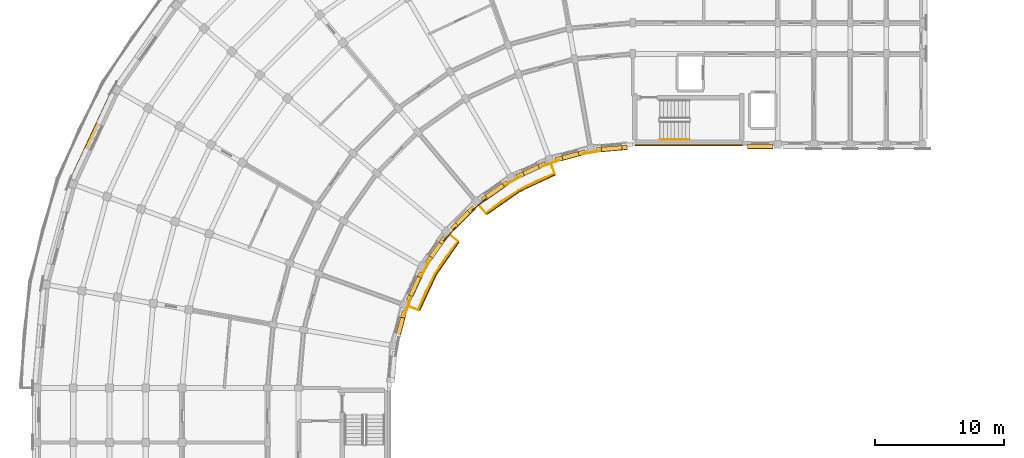
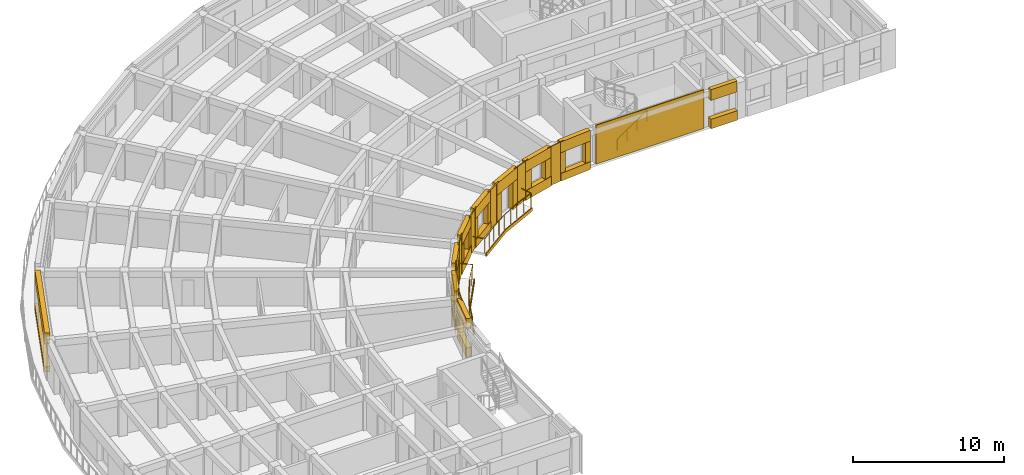
# One storey, part 32 of 41: 43 coverings, 3 railings.
"""IFC4 building model written with IfcOpenShell, lengths in metres."""

from ifc_helpers import new_model, si_unit, direction, frame, origin, origin_2d, place, context, subcontext, project, spatial, polyline, circle, outline, extrude, material, layer, layer_set, type_object, element, save


model = new_model("IFC4")

# Units and contexts
model_context = context("Model", 3, precision=1e-05, world=origin(), true_north=direction((0.0, 1.0)))
body_context = subcontext(model_context, "Body", "Model", "MODEL_VIEW")
ifc_project = project(units=[si_unit("LENGTHUNIT", "METRE"), si_unit("AREAUNIT", "SQUARE_METRE"), si_unit("VOLUMEUNIT", "CUBIC_METRE"), si_unit("PLANEANGLEUNIT", "RADIAN"), si_unit("MASSUNIT", "GRAM", prefix="KILO")], contexts=[model_context])

# Site, building, storey
site_placement = place(None, origin())
site = spatial("IfcSite", under=ifc_project, at=site_placement, CompositionType="ELEMENT")
building_placement = place(site_placement, origin())
building = spatial("IfcBuilding", under=site, at=building_placement, Name="Kiranvali Square Residences", CompositionType="ELEMENT")
storey_placement = place(building_placement, frame((0.0, 0.0, 33.89990234375)))
storey = spatial("IfcBuildingStorey", under=building, at=storey_placement, Name="L10", CompositionType="ELEMENT", Elevation=33.89990234375)

# Coverings
ifc_material_1 = material(Name="Carved Porbandar limestone classical entablature and cornice", Category="masonry")
ifc_layer_1 = layer(ifc_material_1, 0.06201171875)
ifc_layer_set_1 = layer_set([ifc_layer_1], Name="Carved Porbandar limestone classical entablature and cornice")
covering_type_1 = type_object("IfcCoveringType", Name="COV-CLAD-GBAL", PredefinedType="CLADDING", material=ifc_layer_set_1)
covering_1_placement = place(storey_placement, frame((0.0, 0.0, -0.219970703125)))
element("IfcCovering", 1, at=covering_1_placement, inside=storey, type_object=covering_type_1, Name="Block A L10 garden balcony limestone fascia 1", PredefinedType="CLADDING", context=body_context, shape_type="SweptSolid", body=[
    extrude(outline(polyline([(42.1982421875, 104.289794921875), (39.426025390625, 102.9970703125), (36.92041015625, 101.242431640625), (36.964111328125, 101.1904296875), (39.4599609375, 102.938232421875), (42.221435546875, 104.225830078125), (42.1982421875, 104.289794921875)])), origin(), (0.0, 0.0, 1.0), 0.27001953125),
])
covering_2_placement = place(storey_placement, frame((0.0, 0.0, -0.219970703125)))
element("IfcCovering", 2, at=covering_2_placement, inside=storey, type_object=covering_type_1, Name="Block A L10 garden balcony limestone fascia 2", PredefinedType="CLADDING", context=body_context, shape_type="SweptSolid", body=[
    extrude(outline(polyline([(34.757568359375, 99.07958984375), (33.0029296875, 96.573974609375), (31.710205078125, 93.8017578125), (31.774169921875, 93.778564453125), (33.061767578125, 96.5400390625), (34.8095703125, 99.035888671875), (34.757568359375, 99.07958984375)])), origin(), (0.0, 0.0, 1.0), 0.27001953125),
])
ifc_material_2 = material(Name="Honed Porbandar limestone ashlar facade cladding", Category="masonry")
ifc_layer_2 = layer(ifc_material_2, 0.3798828125)
ifc_layer_set_2 = layer_set([ifc_layer_2], Name="Honed Porbandar limestone ashlar facade cladding")
covering_type_2 = type_object("IfcCoveringType", Name="COV-CLAD-JAMB", PredefinedType="CLADDING", material=ifc_layer_set_2)
covering_3_placement = place(storey_placement, frame((0.0, 0.0, 0.6220703125)))
element("IfcCovering", 3, at=covering_3_placement, inside=storey, type_object=covering_type_2, Name="L10 deep limestone window jamb reveal A-L10-GDN-00.L", PredefinedType="CLADDING", context=body_context, shape_type="SweptSolid", body=[
    extrude(outline(polyline([(47.76171875, 106.56103515625), (47.36474609375, 106.5263671875), (47.394287109375, 106.188232421875), (47.791259765625, 106.222900390625), (47.76171875, 106.56103515625)])), origin(), (0.0, 0.0, 1.0), 1.650146484375),
])
covering_4_placement = place(storey_placement, frame((0.0, 0.0, 0.6220703125)))
element("IfcCovering", 4, at=covering_4_placement, inside=storey, type_object=covering_type_2, Name="L10 deep limestone window jamb reveal A-L10-GDN-00.R", PredefinedType="CLADDING", context=body_context, shape_type="SweptSolid", body=[
    extrude(outline(polyline([(45.770751953125, 106.386962890625), (45.373779296875, 106.352294921875), (45.4033203125, 106.013916015625), (45.80029296875, 106.048828125), (45.770751953125, 106.386962890625)])), origin(), (0.0, 0.0, 1.0), 1.650146484375),
])
covering_5_placement = place(storey_placement, frame((0.0, 0.0, 0.772216796875)))
element("IfcCovering", 5, at=covering_5_placement, inside=storey, type_object=covering_type_2, Name="L10 deep limestone window jamb reveal A-L10-GDN-01.L", PredefinedType="CLADDING", context=body_context, shape_type="SweptSolid", body=[
    extrude(outline(polyline([(44.510498046875, 106.199951171875), (43.980712890625, 106.05810546875), (44.068603515625, 105.730224609375), (44.598388671875, 105.8720703125), (44.510498046875, 106.199951171875)])), origin(), (0.0, 0.0, 1.0), 1.5),
])
covering_6_placement = place(storey_placement, frame((0.0, 0.0, 0.772216796875)))
element("IfcCovering", 6, at=covering_6_placement, inside=storey, type_object=covering_type_2, Name="L10 deep limestone window jamb reveal A-L10-GDN-01.R", PredefinedType="CLADDING", context=body_context, shape_type="SweptSolid", body=[
    extrude(outline(polyline([(42.72509765625, 105.7216796875), (42.195068359375, 105.57958984375), (42.282958984375, 105.251708984375), (42.812744140625, 105.3935546875), (42.72509765625, 105.7216796875)])), origin(), (0.0, 0.0, 1.0), 1.5),
])
covering_7_placement = place(storey_placement, origin())
element("IfcCovering", 7, at=covering_7_placement, inside=storey, type_object=covering_type_2, Name="L10 deep limestone window jamb reveal A-L10-GDN-02.L", PredefinedType="CLADDING", context=body_context, shape_type="SweptSolid", body=[
    extrude(outline(polyline([(41.37158203125, 105.27978515625), (40.874267578125, 105.048095703125), (41.017822265625, 104.740234375), (41.514892578125, 104.97216796875), (41.37158203125, 105.27978515625)])), origin(), (0.0, 0.0, 1.0), 2.18017578125),
])
covering_8_placement = place(storey_placement, origin())
element("IfcCovering", 8, at=covering_8_placement, inside=storey, type_object=covering_type_2, Name="L10 deep limestone window jamb reveal A-L10-GDN-02.R", PredefinedType="CLADDING", context=body_context, shape_type="SweptSolid", body=[
    extrude(outline(polyline([(39.696044921875, 104.49853515625), (39.198974609375, 104.266845703125), (39.342529296875, 103.958984375), (39.839599609375, 104.19091796875), (39.696044921875, 104.49853515625)])), origin(), (0.0, 0.0, 1.0), 2.18017578125),
])
covering_9_placement = place(storey_placement, frame((0.0, 0.0, 0.6220703125)))
element("IfcCovering", 9, at=covering_9_placement, inside=storey, type_object=covering_type_2, Name="L10 deep limestone window jamb reveal A-L10-GDN-03.L", PredefinedType="CLADDING", context=body_context, shape_type="SweptSolid", body=[
    extrude(outline(polyline([(38.43994140625, 103.828369140625), (38.11328125, 103.599853515625), (38.30810546875, 103.32177734375), (38.634521484375, 103.55029296875), (38.43994140625, 103.828369140625)])), origin(), (0.0, 0.0, 1.0), 1.650146484375),
])
covering_10_placement = place(storey_placement, frame((0.0, 0.0, 0.6220703125)))
element("IfcCovering", 10, at=covering_10_placement, inside=storey, type_object=covering_type_2, Name="L10 deep limestone window jamb reveal A-L10-GDN-03.R", PredefinedType="CLADDING", context=body_context, shape_type="SweptSolid", body=[
    extrude(outline(polyline([(36.802734375, 102.68212890625), (36.476318359375, 102.45361328125), (36.671142578125, 102.175537109375), (36.99755859375, 102.404052734375), (36.802734375, 102.68212890625)])), origin(), (0.0, 0.0, 1.0), 1.650146484375),
])
covering_11_placement = place(storey_placement, frame((0.0, 0.0, 0.772216796875)))
element("IfcCovering", 11, at=covering_11_placement, inside=storey, type_object=covering_type_2, Name="L10 deep limestone window jamb reveal A-L10-GDN-04.L", PredefinedType="CLADDING", context=body_context, shape_type="SweptSolid", body=[
    extrude(outline(polyline([(35.804931640625, 101.89013671875), (35.4169921875, 101.502197265625), (35.656982421875, 101.26220703125), (36.044921875, 101.650146484375), (35.804931640625, 101.89013671875)])), origin(), (0.0, 0.0, 1.0), 1.5),
])
covering_12_placement = place(storey_placement, frame((0.0, 0.0, 0.772216796875)))
element("IfcCovering", 12, at=covering_12_placement, inside=storey, type_object=covering_type_2, Name="L10 deep limestone window jamb reveal A-L10-GDN-04.R", PredefinedType="CLADDING", context=body_context, shape_type="SweptSolid", body=[
    extrude(outline(polyline([(34.497802734375, 100.5830078125), (34.10986328125, 100.195068359375), (34.349853515625, 99.955078125), (34.73779296875, 100.343017578125), (34.497802734375, 100.5830078125)])), origin(), (0.0, 0.0, 1.0), 1.5),
])
covering_13_placement = place(storey_placement, origin())
element("IfcCovering", 13, at=covering_13_placement, inside=storey, type_object=covering_type_2, Name="L10 deep limestone window jamb reveal A-L10-GDN-05.L", PredefinedType="CLADDING", context=body_context, shape_type="SweptSolid", body=[
    extrude(outline(polyline([(33.54638671875, 99.523681640625), (33.231689453125, 99.074462890625), (33.509765625, 98.879638671875), (33.824462890625, 99.328857421875), (33.54638671875, 99.523681640625)])), origin(), (0.0, 0.0, 1.0), 2.18017578125),
])
covering_14_placement = place(storey_placement, origin())
element("IfcCovering", 14, at=covering_14_placement, inside=storey, type_object=covering_type_2, Name="L10 deep limestone window jamb reveal A-L10-GDN-05.R", PredefinedType="CLADDING", context=body_context, shape_type="SweptSolid", body=[
    extrude(outline(polyline([(32.486083984375, 98.009521484375), (32.171630859375, 97.56005859375), (32.44970703125, 97.365478515625), (32.76416015625, 97.814697265625), (32.486083984375, 98.009521484375)])), origin(), (0.0, 0.0, 1.0), 2.18017578125),
])
covering_15_placement = place(storey_placement, frame((0.0, 0.0, 0.6220703125)))
element("IfcCovering", 15, at=covering_15_placement, inside=storey, type_object=covering_type_2, Name="L10 deep limestone window jamb reveal A-L10-GDN-06.L", PredefinedType="CLADDING", context=body_context, shape_type="SweptSolid", body=[
    extrude(outline(polyline([(31.733154296875, 96.801025390625), (31.564697265625, 96.43994140625), (31.87255859375, 96.29638671875), (32.041015625, 96.657470703125), (31.733154296875, 96.801025390625)])), origin(), (0.0, 0.0, 1.0), 1.650146484375),
])
covering_16_placement = place(storey_placement, frame((0.0, 0.0, 0.6220703125)))
element("IfcCovering", 16, at=covering_16_placement, inside=storey, type_object=covering_type_2, Name="L10 deep limestone window jamb reveal A-L10-GDN-06.R", PredefinedType="CLADDING", context=body_context, shape_type="SweptSolid", body=[
    extrude(outline(polyline([(30.888671875, 94.98974609375), (30.72021484375, 94.62841796875), (31.02783203125, 94.485107421875), (31.1962890625, 94.84619140625), (30.888671875, 94.98974609375)])), origin(), (0.0, 0.0, 1.0), 1.650146484375),
])
covering_17_placement = place(storey_placement, frame((0.0, 0.0, 0.772216796875)))
element("IfcCovering", 17, at=covering_17_placement, inside=storey, type_object=covering_type_2, Name="L10 deep limestone window jamb reveal A-L10-GDN-07.L", PredefinedType="CLADDING", context=body_context, shape_type="SweptSolid", body=[
    extrude(outline(polyline([(30.42041015625, 93.804931640625), (30.2783203125, 93.27490234375), (30.6064453125, 93.187255859375), (30.748291015625, 93.717041015625), (30.42041015625, 93.804931640625)])), origin(), (0.0, 0.0, 1.0), 1.5),
])
ifc_layer_3 = layer(ifc_material_2, 0.06494140625)
ifc_layer_set_3 = layer_set([ifc_layer_3], Name="Honed Porbandar limestone ashlar facade cladding")
covering_type_3 = type_object("IfcCoveringType", Name="COV-CLAD-PIER", PredefinedType="CLADDING", material=ifc_layer_set_3)
covering_18_placement = place(storey_placement, frame((0.0, 0.0, 0.005126953125)))
element("IfcCovering", 18, at=covering_18_placement, inside=storey, type_object=covering_type_3, Name="Block A L10 garden stair limestone ashlar cladding", PredefinedType="CLADDING", context=body_context, shape_type="SweptSolid", body=[
    extrude(outline(polyline([(48.39990234375, 106.52001953125), (56.64990234375, 106.52001953125), (56.64990234375, 106.597900390625), (48.39990234375, 106.597900390625), (48.39990234375, 106.52001953125)])), origin(), (0.0, 0.0, 1.0), 3.139892578125),
])
ifc_layer_4 = layer(ifc_material_2, 0.050048828125)
ifc_layer_set_4 = layer_set([ifc_layer_4], Name="Honed Porbandar limestone ashlar facade cladding")
covering_type_4 = type_object("IfcCoveringType", Name="COV-CLAD-PIER-IN", PredefinedType="CLADDING", material=ifc_layer_set_4)
covering_19_placement = place(storey_placement, frame((0.0, 0.0, 0.005126953125)))
element("IfcCovering", 19, at=covering_19_placement, inside=storey, type_object=covering_type_4, Name="L10 Classical garden courtyard pilaster CLAD-PRIN-A-L10-A01", PredefinedType="CLADDING", context=body_context, shape_type="SweptSolid", body=[
    extrude(outline(polyline([(44.31005859375, 105.830322265625), (45.688720703125, 106.073486328125), (45.677001953125, 106.139892578125), (44.29833984375, 105.89697265625), (44.31005859375, 105.830322265625)])), origin(), (0.0, 0.0, 1.0), 3.139892578125),
])
covering_20_placement = place(storey_placement, frame((0.0, 0.0, 0.005126953125)))
element("IfcCovering", 20, at=covering_20_placement, inside=storey, type_object=covering_type_4, Name="L10 Classical garden courtyard pilaster CLAD-PRIN-A-L10-A02", PredefinedType="CLADDING", context=body_context, shape_type="SweptSolid", body=[
    extrude(outline(polyline([(41.238037109375, 104.881103515625), (42.5537109375, 105.35986328125), (42.530517578125, 105.42333984375), (41.215087890625, 104.9443359375), (41.238037109375, 104.881103515625)])), origin(), (0.0, 0.0, 1.0), 3.139892578125),
])
covering_21_placement = place(storey_placement, frame((0.0, 0.0, 0.005126953125)))
element("IfcCovering", 21, at=covering_21_placement, inside=storey, type_object=covering_type_4, Name="L10 Classical garden courtyard pilaster CLAD-PRIN-A-L10-A03", PredefinedType="CLADDING", context=body_context, shape_type="SweptSolid", body=[
    extrude(outline(polyline([(38.377685546875, 103.41259765625), (39.59033203125, 104.112548828125), (39.556396484375, 104.171142578125), (38.343994140625, 103.470947265625), (38.377685546875, 103.41259765625)])), origin(), (0.0, 0.0, 1.0), 3.139892578125),
])
covering_22_placement = place(storey_placement, frame((0.0, 0.0, 0.005126953125)))
element("IfcCovering", 22, at=covering_22_placement, inside=storey, type_object=covering_type_4, Name="L10 Classical garden courtyard pilaster CLAD-PRIN-A-L10-A04", PredefinedType="CLADDING", context=body_context, shape_type="SweptSolid", body=[
    extrude(outline(polyline([(35.81591796875, 101.4697265625), (36.888427734375, 102.36962890625), (36.844970703125, 102.42138671875), (35.7724609375, 101.521484375), (35.81591796875, 101.4697265625)])), origin(), (0.0, 0.0, 1.0), 3.139892578125),
])
covering_23_placement = place(storey_placement, frame((0.0, 0.0, 0.005126953125)))
element("IfcCovering", 23, at=covering_23_placement, inside=storey, type_object=covering_type_4, Name="L10 Classical garden courtyard pilaster CLAD-PRIN-A-L10-A05", PredefinedType="CLADDING", context=body_context, shape_type="SweptSolid", body=[
    extrude(outline(polyline([(33.63037109375, 99.111572265625), (34.5302734375, 100.18408203125), (34.478515625, 100.2275390625), (33.57861328125, 99.155029296875), (33.63037109375, 99.111572265625)])), origin(), (0.0, 0.0, 1.0), 3.139892578125),
])
covering_24_placement = place(storey_placement, frame((0.0, 0.0, 0.005126953125)))
element("IfcCovering", 24, at=covering_24_placement, inside=storey, type_object=covering_type_4, Name="L10 Classical garden courtyard pilaster CLAD-PRIN-A-L10-A06", PredefinedType="CLADDING", context=body_context, shape_type="SweptSolid", body=[
    extrude(outline(polyline([(31.887451171875, 96.40966796875), (32.58740234375, 97.622314453125), (32.529052734375, 97.656005859375), (31.828857421875, 96.443603515625), (31.887451171875, 96.40966796875)])), origin(), (0.0, 0.0, 1.0), 3.139892578125),
])
covering_25_placement = place(storey_placement, frame((0.0, 0.0, 0.005126953125)))
element("IfcCovering", 25, at=covering_25_placement, inside=storey, type_object=covering_type_4, Name="L10 Classical garden courtyard pilaster CLAD-PRIN-A-L10-A07", PredefinedType="CLADDING", context=body_context, shape_type="SweptSolid", body=[
    extrude(outline(polyline([(30.64013671875, 93.4462890625), (31.118896484375, 94.761962890625), (31.0556640625, 94.784912109375), (30.57666015625, 93.469482421875), (30.64013671875, 93.4462890625)])), origin(), (0.0, 0.0, 1.0), 3.139892578125),
])
ifc_layer_5 = layer(ifc_material_2, 0.360107421875)
ifc_layer_set_5 = layer_set([ifc_layer_5], Name="Honed Porbandar limestone ashlar facade cladding")
covering_type_5 = type_object("IfcCoveringType", Name="COV-CLAD-WALL", PredefinedType="CLADDING", material=ifc_layer_set_5)
covering_26_placement = place(storey_placement, frame((0.0, 0.0, 2.272216796875)))
element("IfcCovering", 26, at=covering_26_placement, inside=storey, type_object=covering_type_5, Name="L10 light limestone spandrel lintel A-L10-CRV-06", PredefinedType="CLADDING", context=body_context, shape_type="SweptSolid", body=[
    extrude(outline(polyline([(7.888671875, 110.635009765625), (4.7958984375, 104.002197265625), (5.12158203125, 103.850341796875), (8.21435546875, 110.48291015625), (7.888671875, 110.635009765625)])), origin(), (0.0, 0.0, 1.0), 0.872802734375),
])
covering_27_placement = place(storey_placement, frame((0.0, 0.0, 2.272216796875)))
element("IfcCovering", 27, at=covering_27_placement, inside=storey, type_object=covering_type_5, Name="L10 light limestone spandrel lintel A-L10-GDN-00", PredefinedType="CLADDING", context=body_context, shape_type="SweptSolid", body=[
    extrude(outline(polyline([(47.76171875, 106.56103515625), (45.373779296875, 106.352294921875), (45.4033203125, 106.013916015625), (47.791259765625, 106.222900390625), (47.76171875, 106.56103515625)])), origin(), (0.0, 0.0, 1.0), 0.872802734375),
])
covering_28_placement = place(storey_placement, frame((0.0, 0.0, 2.272216796875)))
element("IfcCovering", 28, at=covering_28_placement, inside=storey, type_object=covering_type_5, Name="L10 light limestone spandrel lintel A-L10-GDN-01", PredefinedType="CLADDING", context=body_context, shape_type="SweptSolid", body=[
    extrude(outline(polyline([(44.510498046875, 106.199951171875), (42.195068359375, 105.57958984375), (42.282958984375, 105.251708984375), (44.598388671875, 105.8720703125), (44.510498046875, 106.199951171875)])), origin(), (0.0, 0.0, 1.0), 0.872802734375),
])
covering_29_placement = place(storey_placement, frame((0.0, 0.0, 2.18017578125)))
element("IfcCovering", 29, at=covering_29_placement, inside=storey, type_object=covering_type_5, Name="L10 light limestone spandrel lintel A-L10-GDN-02", PredefinedType="CLADDING", context=body_context, shape_type="SweptSolid", body=[
    extrude(outline(polyline([(41.37158203125, 105.27978515625), (39.198974609375, 104.266845703125), (39.342529296875, 103.958984375), (41.514892578125, 104.97216796875), (41.37158203125, 105.27978515625)])), origin(), (0.0, 0.0, 1.0), 0.96484375),
])
covering_30_placement = place(storey_placement, frame((0.0, 0.0, 2.272216796875)))
element("IfcCovering", 30, at=covering_30_placement, inside=storey, type_object=covering_type_5, Name="L10 light limestone spandrel lintel A-L10-GDN-03", PredefinedType="CLADDING", context=body_context, shape_type="SweptSolid", body=[
    extrude(outline(polyline([(38.43994140625, 103.828369140625), (36.476318359375, 102.45361328125), (36.671142578125, 102.175537109375), (38.634521484375, 103.55029296875), (38.43994140625, 103.828369140625)])), origin(), (0.0, 0.0, 1.0), 0.872802734375),
])
covering_31_placement = place(storey_placement, frame((0.0, 0.0, 2.272216796875)))
element("IfcCovering", 31, at=covering_31_placement, inside=storey, type_object=covering_type_5, Name="L10 light limestone spandrel lintel A-L10-GDN-04", PredefinedType="CLADDING", context=body_context, shape_type="SweptSolid", body=[
    extrude(outline(polyline([(35.804931640625, 101.89013671875), (34.10986328125, 100.195068359375), (34.349853515625, 99.955078125), (36.044921875, 101.650146484375), (35.804931640625, 101.89013671875)])), origin(), (0.0, 0.0, 1.0), 0.872802734375),
])
covering_32_placement = place(storey_placement, frame((0.0, 0.0, 2.18017578125)))
element("IfcCovering", 32, at=covering_32_placement, inside=storey, type_object=covering_type_5, Name="L10 light limestone spandrel lintel A-L10-GDN-05", PredefinedType="CLADDING", context=body_context, shape_type="SweptSolid", body=[
    extrude(outline(polyline([(33.54638671875, 99.523681640625), (32.171630859375, 97.56005859375), (32.44970703125, 97.365478515625), (33.824462890625, 99.328857421875), (33.54638671875, 99.523681640625)])), origin(), (0.0, 0.0, 1.0), 0.96484375),
])
covering_33_placement = place(storey_placement, frame((0.0, 0.0, 2.272216796875)))
element("IfcCovering", 33, at=covering_33_placement, inside=storey, type_object=covering_type_5, Name="L10 light limestone spandrel lintel A-L10-GDN-06", PredefinedType="CLADDING", context=body_context, shape_type="SweptSolid", body=[
    extrude(outline(polyline([(31.733154296875, 96.801025390625), (30.72021484375, 94.62841796875), (31.02783203125, 94.485107421875), (32.041015625, 96.657470703125), (31.733154296875, 96.801025390625)])), origin(), (0.0, 0.0, 1.0), 0.872802734375),
])
covering_34_placement = place(storey_placement, frame((0.0, 0.0, 2.272216796875)))
element("IfcCovering", 34, at=covering_34_placement, inside=storey, type_object=covering_type_5, Name="L10 light limestone spandrel lintel A-L10-GDN-07", PredefinedType="CLADDING", context=body_context, shape_type="SweptSolid", body=[
    extrude(outline(polyline([(30.42041015625, 93.804931640625), (29.800048828125, 91.489501953125), (30.1279296875, 91.401611328125), (30.748291015625, 93.717041015625), (30.42041015625, 93.804931640625)])), origin(), (0.0, 0.0, 1.0), 0.872802734375),
])
covering_35_placement = place(storey_placement, frame((0.0, 0.0, 2.272216796875)))
element("IfcCovering", 35, at=covering_35_placement, inside=storey, type_object=covering_type_5, Name="L10 light limestone spandrel lintel A-L10-A1IN-0", PredefinedType="CLADDING", context=body_context, shape_type="SweptSolid", body=[
    extrude(outline(polyline([(57.050048828125, 106.280029296875), (59.050048828125, 106.280029296875), (59.050048828125, 106.599609375), (57.050048828125, 106.599609375), (57.050048828125, 106.280029296875)])), origin(), (0.0, 0.0, 1.0), 0.872802734375),
])
ifc_layer_6 = layer(ifc_material_2, 0.320068359375)
ifc_layer_set_6 = layer_set([ifc_layer_6], Name="Honed Porbandar limestone ashlar facade cladding")
covering_type_6 = type_object("IfcCoveringType", Name="COV-CLAD-WALL-UP", PredefinedType="CLADDING", material=ifc_layer_set_6)
covering_36_placement = place(storey_placement, frame((0.0, 0.0, 0.005126953125)))
element("IfcCovering", 36, at=covering_36_placement, inside=storey, type_object=covering_type_6, Name="L10 limestone window sill apron A-L10-CRV-06", PredefinedType="CLADDING", context=body_context, shape_type="SweptSolid", body=[
    extrude(outline(polyline([(7.861328125, 110.647705078125), (4.7685546875, 104.014892578125), (5.12158203125, 103.850341796875), (8.21435546875, 110.48291015625), (7.861328125, 110.647705078125)])), origin(), (0.0, 0.0, 1.0), 0.4169921875),
])
covering_37_placement = place(storey_placement, frame((0.0, 0.0, 0.005126953125)))
element("IfcCovering", 37, at=covering_37_placement, inside=storey, type_object=covering_type_6, Name="L10 limestone window sill apron A-L10-GDN-00", PredefinedType="CLADDING", context=body_context, shape_type="SweptSolid", body=[
    extrude(outline(polyline([(47.76171875, 106.56103515625), (45.373779296875, 106.352294921875), (45.406005859375, 105.984130859375), (47.7939453125, 106.193115234375), (47.76171875, 106.56103515625)])), origin(), (0.0, 0.0, 1.0), 0.616943359375),
])
covering_38_placement = place(storey_placement, frame((0.0, 0.0, 0.005126953125)))
element("IfcCovering", 38, at=covering_38_placement, inside=storey, type_object=covering_type_6, Name="L10 limestone window sill apron A-L10-GDN-01", PredefinedType="CLADDING", context=body_context, shape_type="SweptSolid", body=[
    extrude(outline(polyline([(44.510498046875, 106.199951171875), (42.195068359375, 105.57958984375), (42.290771484375, 105.22265625), (44.606201171875, 105.843017578125), (44.510498046875, 106.199951171875)])), origin(), (0.0, 0.0, 1.0), 0.76708984375),
])
covering_39_placement = place(storey_placement, frame((0.0, 0.0, 0.005126953125)))
element("IfcCovering", 39, at=covering_39_placement, inside=storey, type_object=covering_type_6, Name="L10 limestone window sill apron A-L10-GDN-03", PredefinedType="CLADDING", context=body_context, shape_type="SweptSolid", body=[
    extrude(outline(polyline([(38.43994140625, 103.828369140625), (36.476318359375, 102.45361328125), (36.688232421875, 102.15087890625), (38.65185546875, 103.52587890625), (38.43994140625, 103.828369140625)])), origin(), (0.0, 0.0, 1.0), 0.616943359375),
])
covering_40_placement = place(storey_placement, frame((0.0, 0.0, 0.005126953125)))
element("IfcCovering", 40, at=covering_40_placement, inside=storey, type_object=covering_type_6, Name="L10 limestone window sill apron A-L10-GDN-04", PredefinedType="CLADDING", context=body_context, shape_type="SweptSolid", body=[
    extrude(outline(polyline([(35.804931640625, 101.89013671875), (34.10986328125, 100.195068359375), (34.37109375, 99.933837890625), (36.066162109375, 101.62890625), (35.804931640625, 101.89013671875)])), origin(), (0.0, 0.0, 1.0), 0.76708984375),
])
covering_41_placement = place(storey_placement, frame((0.0, 0.0, 0.005126953125)))
element("IfcCovering", 41, at=covering_41_placement, inside=storey, type_object=covering_type_6, Name="L10 limestone window sill apron A-L10-GDN-06", PredefinedType="CLADDING", context=body_context, shape_type="SweptSolid", body=[
    extrude(outline(polyline([(31.733154296875, 96.801025390625), (30.72021484375, 94.62841796875), (31.05517578125, 94.472412109375), (32.068115234375, 96.644775390625), (31.733154296875, 96.801025390625)])), origin(), (0.0, 0.0, 1.0), 0.616943359375),
])
covering_42_placement = place(storey_placement, frame((0.0, 0.0, 0.005126953125)))
element("IfcCovering", 42, at=covering_42_placement, inside=storey, type_object=covering_type_6, Name="L10 limestone window sill apron A-L10-GDN-07", PredefinedType="CLADDING", context=body_context, shape_type="SweptSolid", body=[
    extrude(outline(polyline([(30.42041015625, 93.804931640625), (29.800048828125, 91.489501953125), (30.156982421875, 91.393798828125), (30.77734375, 93.709228515625), (30.42041015625, 93.804931640625)])), origin(), (0.0, 0.0, 1.0), 0.76708984375),
])
covering_43_placement = place(storey_placement, frame((0.0, 0.0, 0.005126953125)))
element("IfcCovering", 43, at=covering_43_placement, inside=storey, type_object=covering_type_6, Name="L10 limestone window sill apron A-L10-A1IN-0", PredefinedType="CLADDING", context=body_context, shape_type="SweptSolid", body=[
    extrude(outline(polyline([(57.050048828125, 106.25), (59.050048828125, 106.25), (59.050048828125, 106.599609375), (57.050048828125, 106.599609375), (57.050048828125, 106.25)])), origin(), (0.0, 0.0, 1.0), 0.76708984375),
])

# Railings
ifc_material_3 = material(Name="Powder-coated architectural bronze balustrade", Category="steel")
railing_type_1 = type_object("IfcRailingType", Name="RL-BAL-GOLD-1200", PredefinedType="BALUSTRADE", material=ifc_material_3)
railing_1_placement = place(storey_placement, frame((41.78369140625, 105.4287109375, 0.0)))
element("IfcRailing", 44, at=railing_1_placement, inside=storey, type_object=railing_type_1, Name="Block A L10 garden balcony gold balustrade 1", PredefinedType="BALUSTRADE", context=body_context, shape_type="SweptSolid", body=[
    extrude(circle(Radius=0.02392578125, at=origin_2d()), frame((0.0, 0.0, 1.17578125), z_axis=(0.341964618562, -0.939712828289, 0.0), x_axis=(0.939712828289, 0.341964618562, 0.0)), (0.0, 0.0, 1.0), 1.150146484375),
    extrude(circle(Radius=0.02392578125, at=origin_2d()), frame((0.393310546875, -1.080810546875, 1.17578125), z_axis=(-0.923892883829, -0.382651197843, 0.0), x_axis=(0.382651197843, -0.923892883829, 0.0)), (0.0, 0.0, 1.0), 1.536376953125),
    extrude(circle(Radius=0.02392578125, at=origin_2d()), frame((-1.026123046875, -1.668701171875, 1.17578125), z_axis=(-0.887029366154, -0.461713009976, 0.0), x_axis=(0.461713009976, -0.887029366154, 0.0)), (0.0, 0.0, 1.0), 1.5361328125),
    extrude(circle(Radius=0.02392578125, at=origin_2d()), frame((-2.388671875, -2.3779296875, 1.17578125), z_axis=(-0.843386539688, -0.537307309343, 0.0), x_axis=(0.537307309343, -0.843386539688, 0.0)), (0.0, 0.0, 1.0), 1.5361328125),
    extrude(circle(Radius=0.02392578125, at=origin_2d()), frame((-3.684326171875, -3.203369140625, 1.17578125), z_axis=(-0.793314680996, -0.608811807471, 0.0), x_axis=(0.608811807471, -0.793314680996, 0.0)), (0.0, 0.0, 1.0), 1.536376953125),
    extrude(circle(Radius=0.02392578125, at=origin_2d()), frame((-4.903076171875, -4.138671875, 1.17578125), z_axis=(-0.642853454051, 0.765989188314, 0.0), x_axis=(-0.765989188314, -0.642853454051, 0.0)), (0.0, 0.0, 1.0), 1.14990234375),
    extrude(circle(Radius=0.02099609375, at=origin_2d()), origin(), (0.0, 0.0, 1.0), 1.15185546875),
    extrude(circle(Radius=0.02099609375, at=origin_2d()), frame((0.393310546875, -1.080810546875, 0.0)), (0.0, 0.0, 1.0), 1.15185546875),
    extrude(circle(Radius=0.02099609375, at=origin_2d()), frame((-0.31640625, -1.374755859375, 0.0)), (0.0, 0.0, 1.0), 1.15185546875),
    extrude(circle(Radius=0.02099609375, at=origin_2d()), frame((-1.026123046875, -1.668701171875, 0.0)), (0.0, 0.0, 1.0), 1.15185546875),
    extrude(circle(Radius=0.02099609375, at=origin_2d()), frame((-1.70751953125, -2.0234375, 0.0)), (0.0, 0.0, 1.0), 1.15185546875),
    extrude(circle(Radius=0.02099609375, at=origin_2d()), frame((-2.388671875, -2.3779296875, 0.0)), (0.0, 0.0, 1.0), 1.15185546875),
    extrude(circle(Radius=0.02099609375, at=origin_2d()), frame((-3.03662109375, -2.79052734375, 0.0)), (0.0, 0.0, 1.0), 1.15185546875),
    extrude(circle(Radius=0.02099609375, at=origin_2d()), frame((-3.684326171875, -3.203369140625, 0.0)), (0.0, 0.0, 1.0), 1.15185546875),
    extrude(circle(Radius=0.02099609375, at=origin_2d()), frame((-4.293701171875, -3.6708984375, 0.0)), (0.0, 0.0, 1.0), 1.15185546875),
    extrude(circle(Radius=0.02099609375, at=origin_2d()), frame((-4.903076171875, -4.138671875, 0.0)), (0.0, 0.0, 1.0), 1.15185546875),
    extrude(circle(Radius=0.02099609375, at=origin_2d()), frame((-5.642333984375, -3.2578125, 0.0)), (0.0, 0.0, 1.0), 1.15185546875),
])
railing_2_placement = place(storey_placement, frame((33.8291015625, 99.858642578125, 0.0)))
element("IfcRailing", 45, at=railing_2_placement, inside=storey, type_object=railing_type_1, Name="Block A L10 garden balcony gold balustrade 2", PredefinedType="BALUSTRADE", context=body_context, shape_type="SweptSolid", body=[
    extrude(circle(Radius=0.02392578125, at=origin_2d()), frame((0.0, 0.0, 1.17578125), z_axis=(0.765989188314, -0.642853454051, 0.0), x_axis=(0.642853454051, 0.765989188314, 0.0)), (0.0, 0.0, 1.0), 1.14990234375),
    extrude(circle(Radius=0.02392578125, at=origin_2d()), frame((0.880859375, -0.7392578125, 1.17578125), z_axis=(-0.608811807471, -0.793314680996, 0.0), x_axis=(0.793314680996, -0.608811807471, 0.0)), (0.0, 0.0, 1.0), 1.536376953125),
    extrude(circle(Radius=0.02392578125, at=origin_2d()), frame((-0.054443359375, -1.9580078125, 1.17578125), z_axis=(-0.537307309343, -0.843386539688, 0.0), x_axis=(0.843386539688, -0.537307309343, 0.0)), (0.0, 0.0, 1.0), 1.5361328125),
    extrude(circle(Radius=0.02392578125, at=origin_2d()), frame((-0.8798828125, -3.253662109375, 1.17578125), z_axis=(-0.461713009976, -0.887029366154, 0.0), x_axis=(0.887029366154, -0.461713009976, 0.0)), (0.0, 0.0, 1.0), 1.5361328125),
    extrude(circle(Radius=0.02392578125, at=origin_2d()), frame((-1.589111328125, -4.6162109375, 1.17578125), z_axis=(-0.382651197843, -0.923892883829, 0.0), x_axis=(0.923892883829, -0.382651197843, 0.0)), (0.0, 0.0, 1.0), 1.536376953125),
    extrude(circle(Radius=0.02392578125, at=origin_2d()), frame((-2.177001953125, -6.03564453125, 1.17578125), z_axis=(-0.939712828289, 0.341964618562, 0.0), x_axis=(-0.341964618562, -0.939712828289, 0.0)), (0.0, 0.0, 1.0), 1.150146484375),
    extrude(circle(Radius=0.02099609375, at=origin_2d()), origin(), (0.0, 0.0, 1.0), 1.15185546875),
    extrude(circle(Radius=0.02099609375, at=origin_2d()), frame((0.880859375, -0.7392578125, 0.0)), (0.0, 0.0, 1.0), 1.15185546875),
    extrude(circle(Radius=0.02099609375, at=origin_2d()), frame((0.4130859375, -1.3486328125, 0.0)), (0.0, 0.0, 1.0), 1.15185546875),
    extrude(circle(Radius=0.02099609375, at=origin_2d()), frame((-0.054443359375, -1.9580078125, 0.0)), (0.0, 0.0, 1.0), 1.15185546875),
    extrude(circle(Radius=0.02099609375, at=origin_2d()), frame((-0.46728515625, -2.60595703125, 0.0)), (0.0, 0.0, 1.0), 1.15185546875),
    extrude(circle(Radius=0.02099609375, at=origin_2d()), frame((-0.8798828125, -3.253662109375, 0.0)), (0.0, 0.0, 1.0), 1.15185546875),
    extrude(circle(Radius=0.02099609375, at=origin_2d()), frame((-1.234375, -3.93505859375, 0.0)), (0.0, 0.0, 1.0), 1.15185546875),
    extrude(circle(Radius=0.02099609375, at=origin_2d()), frame((-1.589111328125, -4.6162109375, 0.0)), (0.0, 0.0, 1.0), 1.15185546875),
    extrude(circle(Radius=0.02099609375, at=origin_2d()), frame((-1.883056640625, -5.325927734375, 0.0)), (0.0, 0.0, 1.0), 1.15185546875),
    extrude(circle(Radius=0.02099609375, at=origin_2d()), frame((-2.177001953125, -6.03564453125, 0.0)), (0.0, 0.0, 1.0), 1.15185546875),
    extrude(circle(Radius=0.02099609375, at=origin_2d()), frame((-3.2578125, -5.642333984375, 0.0)), (0.0, 0.0, 1.0), 1.15185546875),
])
ifc_material_4 = material(Name="Brushed stainless steel tubular handrail", Category="steel")
railing_type_2 = type_object("IfcRailingType", Name="RL-HANDRAIL-900", PredefinedType="HANDRAIL", material=ifc_material_4)
railing_3_placement = place(storey_placement, frame((50.300048828125, 107.0, 0.175048828125)))
element("IfcRailing", 46, at=railing_3_placement, inside=storey, type_object=railing_type_2, Name="L10 ST-A2 stair handrail 1", PredefinedType="HANDRAIL", context=body_context, shape_type="SweptSolid", body=[
    extrude(circle(Radius=0.02392578125, at=origin_2d()), frame((0.0, 0.0, 0.8759765625), z_axis=(0.82278801735, 0.0, 0.568348377763), x_axis=(0.0, 1.0, 0.0)), (0.0, 0.0, 1.0), 2.77099609375),
    extrude(circle(Radius=0.02099609375, at=origin_2d()), origin(), (0.0, 0.0, 1.0), 0.851806640625),
    extrude(circle(Radius=0.02099609375, at=origin_2d()), frame((0.760009765625, 0.0, 0.52490234375)), (0.0, 0.0, 1.0), 0.851806640625),
    extrude(circle(Radius=0.02099609375, at=origin_2d()), frame((1.52001953125, 0.0, 1.050048828125)), (0.0, 0.0, 1.0), 0.851806640625),
    extrude(circle(Radius=0.02099609375, at=origin_2d()), frame((2.280029296875, 0.0, 1.574951171875)), (0.0, 0.0, 1.0), 0.851806640625),
])

save(model, "model.ifc")
